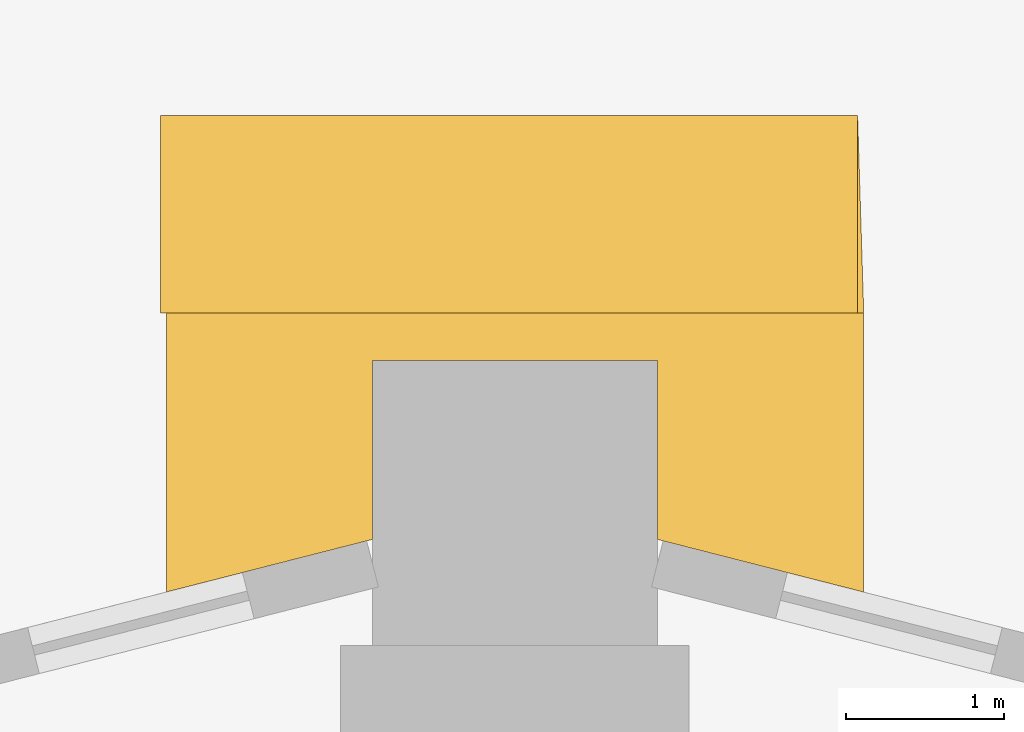
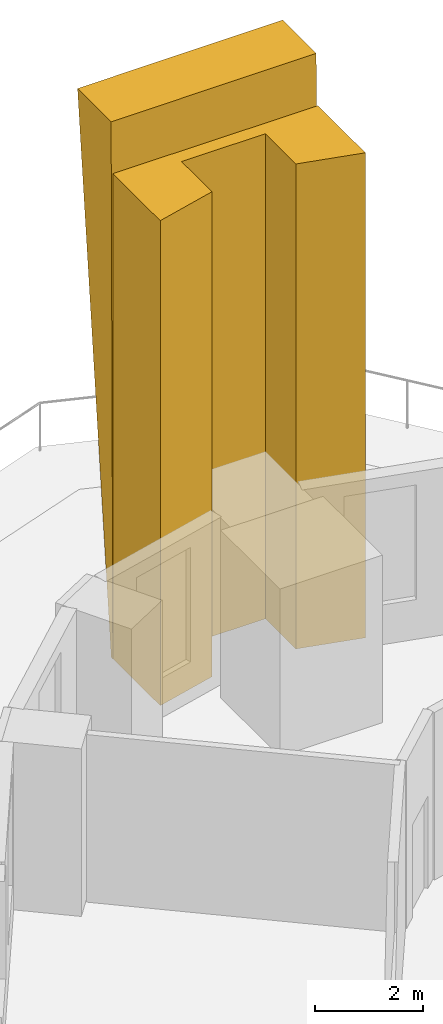
# One storey, part 16 of 16: 2 coverings.
"""IFC4 building model written with IfcOpenShell, lengths in metres."""

from ifc_helpers import new_model, si_unit, direction, frame, origin, place, context, subcontext, project, spatial, polyline, outline, extrude, material, type_object, element, save


model = new_model("IFC4")

# Units and contexts
model_context = context("Model", 3, precision=1e-05, world=origin(), true_north=direction((0.0, 1.0)))
body_context = subcontext(model_context, "Body", "Model", "MODEL_VIEW")
ifc_project = project(units=[si_unit("LENGTHUNIT", "METRE"), si_unit("AREAUNIT", "SQUARE_METRE"), si_unit("VOLUMEUNIT", "CUBIC_METRE"), si_unit("PLANEANGLEUNIT", "RADIAN"), si_unit("MASSUNIT", "GRAM", prefix="KILO")], contexts=[model_context])

# Site, building, storey
site_placement = place(None, origin())
site = spatial("IfcSite", under=ifc_project, at=site_placement, CompositionType="ELEMENT")
building_placement = place(site_placement, origin())
building = spatial("IfcBuilding", under=site, at=building_placement, Name="Entoto Arch Interchange Tower", CompositionType="ELEMENT")
storey_placement = place(building_placement, frame((0.0, 0.0, 86.60009765625)))
storey = spatial("IfcBuildingStorey", under=building, at=storey_placement, Name="L18", CompositionType="ELEMENT", Elevation=86.60009765625)

# Coverings
ifc_material = material(Name="Board-marked precast concrete C50/60", Category="concrete")
covering_type = type_object("IfcCoveringType", Name="PRECAST FRAME COURSE", PredefinedType="CLADDING", material=ifc_material)
covering_1_placement = place(storey_placement, origin())
element("IfcCovering", 1, at=covering_1_placement, inside=storey, type_object=covering_type, Name="Corner pilaster N L18-L20", PredefinedType="CLADDING", context=body_context, shape_type="SweptSolid", body=[
    extrude(outline(polyline([(-2.199951171875, 43.205078125), (2.199951171875, 43.205078125), (2.199951171875, 41.443115234375), (0.89990234375, 41.77490234375), (0.89990234375, 42.905029296875), (-0.89990234375, 42.905029296875), (-0.89990234375, 41.77490234375), (-2.199951171875, 41.443115234375), (-2.199951171875, 43.205078125)])), origin(), (0.0, 0.0, 1.0), 11.0),
])
covering_2_placement = place(storey_placement, frame((2.199951171875, 43.205078125, 0.0), z_axis=(0.999995434537, 0.0, 0.003021738821), x_axis=(0.0, 1.0, 0.0)))
element("IfcCovering", 2, at=covering_2_placement, inside=storey, type_object=covering_type, Name="Corner rib N L18-L20", PredefinedType="CLADDING", context=body_context, shape_type="SweptSolid", body=[
    extrude(outline(polyline([(0.0, 0.0), (0.057861328125, 0.0), (1.246826171875, 12.200006870557068), (0.0, 12.200006870557068), (0.0, 0.0)])), origin(), (0.0, 0.0, -1.0), 4.39990234375),
])

save(model, "model.ifc")
